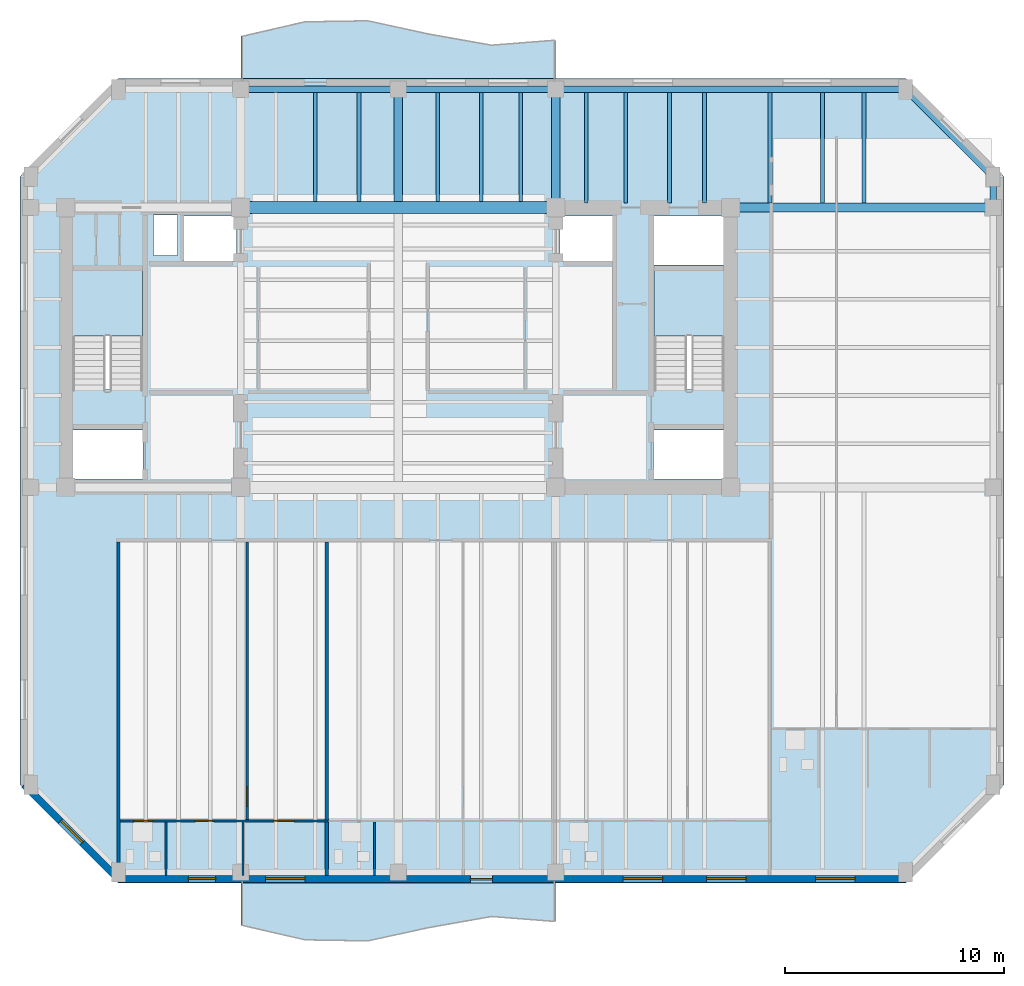
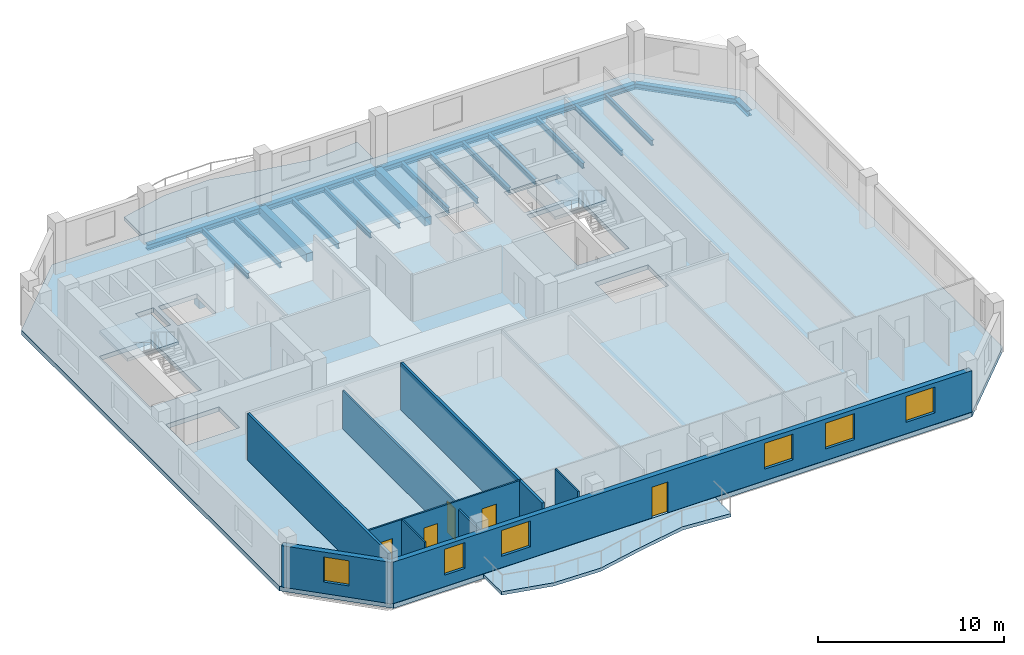
# One storey, part 2 of 9: 21 beams, 9 walls, 6 windows, 5 doors, 5 slabs, 11 openings, 2 elements without a shape of their own.
"""IFC4 building model written with IfcOpenShell, lengths in metres."""

from ifc_helpers import new_model, si_unit, direction, frame, frame_2d, origin, origin_2d, place, context, subcontext, project, spatial, polyline, rectangle, i_section, outline, extrude, material, layer, layer_set, material_profile, profile_set, type_object, element, fill, aggregate, save


model = new_model("IFC4")

# Units and contexts
model_context = context("Model", 3, precision=1e-05, world=origin(), true_north=direction((0.0, 1.0)))
body_context = subcontext(model_context, "Body", "Model", "MODEL_VIEW")
ifc_project = project(units=[si_unit("LENGTHUNIT", "METRE"), si_unit("AREAUNIT", "SQUARE_METRE"), si_unit("VOLUMEUNIT", "CUBIC_METRE"), si_unit("PLANEANGLEUNIT", "RADIAN"), si_unit("MASSUNIT", "GRAM", prefix="KILO")], contexts=[model_context])

# Site, building, storey
site_placement = place(None, origin())
site = spatial("IfcSite", under=ifc_project, at=site_placement, CompositionType="ELEMENT")
building_placement = place(site_placement, origin())
building = spatial("IfcBuilding", under=site, at=building_placement, Name="Kranthara Brick Stack", CompositionType="ELEMENT")
storey_placement = place(building_placement, frame((0.0, 0.0, 231.300048828125)))
storey = spatial("IfcBuildingStorey", under=building, at=storey_placement, Name="L60", CompositionType="ELEMENT", Elevation=231.300048828125)

# Beams
ifc_material_1 = material(Name="Concrete C50/60", Category="concrete")
ifc_material_profile_1 = material_profile(ifc_material_1, rectangle(XDim=0.550048828125, YDim=0.85009765625, at=origin_2d()), Name="RC 550x850")
ifc_profile_set_1 = profile_set([ifc_material_profile_1], Name="Concrete C50/60")
beam_type_1 = type_object("IfcBeamType", Name="BM-CPL-RC850", PredefinedType="LINTEL", material=ifc_profile_set_1)
beam_1_placement = place(storey_placement, frame((20.800048828125, 33.60009765625, -0.72509765625), z_axis=(1.0, 0.0, 0.0), x_axis=(0.0, 1.0, 0.0)))
element("IfcBeam", 1, at=beam_1_placement, inside=storey, type_object=beam_type_1, Name="L60 Core Coupling Beam 002", PredefinedType="LINTEL", context=body_context, shape_type="SweptSolid", body=[
    extrude(rectangle(XDim=0.550048828125, YDim=0.85009765625, at=origin_2d()), origin(), (0.0, 0.0, 1.0), 14.39990234375),
])
ifc_material_2 = material(Name="Post-tensioned concrete C45/55", Category="concrete")
ifc_material_profile_2 = material_profile(ifc_material_2, rectangle(XDim=0.39990234375, YDim=0.550048828125, at=origin_2d()), Name="PT 400x550")
ifc_profile_set_2 = profile_set([ifc_material_profile_2], Name="Post-tensioned concrete C45/55")
beam_type_2 = type_object("IfcBeamType", Name="BM-FLR-PT550", PredefinedType="BEAM", material=ifc_profile_set_2)
beam_2_placement = place(storey_placement, frame((28.0, 33.875, -0.574951171875), z_axis=(0.0, 1.0, 0.0), x_axis=(-1.0, 0.0, 0.0)))
element("IfcBeam", 2, at=beam_2_placement, inside=storey, type_object=beam_type_2, Name="L60 Primary Grid Girder 027", PredefinedType="BEAM", context=body_context, shape_type="SweptSolid", body=[
    extrude(rectangle(XDim=0.39990234375, YDim=0.550048828125, at=origin_2d()), origin(), (0.0, 0.0, 1.0), 5.125),
])
beam_3_placement = place(storey_placement, frame((35.199951171875, 33.60009765625, -0.574951171875), z_axis=(0.0, 1.0, 0.0), x_axis=(-1.0, 0.0, 0.0)))
element("IfcBeam", 3, at=beam_3_placement, inside=storey, type_object=beam_type_2, Name="L60 Primary Grid Girder 029", PredefinedType="BEAM", context=body_context, shape_type="SweptSolid", body=[
    extrude(rectangle(XDim=0.39990234375, YDim=0.550048828125, at=origin_2d()), origin(), (0.0, 0.0, 1.0), 5.39990234375),
])
beam_4_placement = place(storey_placement, frame((43.199951171875, 33.60009765625, -0.574951171875), z_axis=(1.0, 0.0, 0.0), x_axis=(0.0, 1.0, 0.0)))
element("IfcBeam", 4, at=beam_4_placement, inside=storey, type_object=beam_type_2, Name="L60 Primary Grid Girder 033", PredefinedType="BEAM", context=body_context, shape_type="SweptSolid", body=[
    extrude(rectangle(XDim=0.39990234375, YDim=0.550048828125, at=origin_2d()), origin(), (0.0, 0.0, 1.0), 12.0),
])
ifc_material_3 = material(Name="Steel S355", Category="steel")
ifc_material_profile_3 = material_profile(ifc_material_3, i_section(OverallWidth=0.169921875, OverallDepth=0.360107421875, WebThickness=0.008056640625, FlangeThickness=0.0126953125, at=origin_2d()), Name="IPE 360")
ifc_profile_set_3 = profile_set([ifc_material_profile_3], Name="Steel S355")
beam_type_3 = type_object("IfcBeamType", Name="BM-JST-IPE360", PredefinedType="JOIST", material=ifc_profile_set_3)
for number, where, z_axis, x_axis, name in (
    (5, (24.199951171875, 33.875, -0.47998046875), (0.0, 1.0, 0.0), (-1.0, 0.0, 0.0), "L60 North Wing Floor Joist 061"),
    (6, (26.199951171875, 33.875, -0.47998046875), (0.0, 1.0, 0.0), (-1.0, 0.0, 0.0), "L60 North Wing Floor Joist 063"),
    (7, (29.800048828125, 33.875, -0.47998046875), (0.0, 1.0, 0.0), (-1.0, 0.0, 0.0), "L60 North Wing Floor Joist 065"),
    (8, (31.800048828125, 33.875, -0.47998046875), (0.0, 1.0, 0.0), (-1.0, 0.0, 0.0), "L60 North Wing Floor Joist 067"),
    (9, (33.60009765625, 33.875, -0.47998046875), (0.0, 1.0, 0.0), (-1.0, 0.0, 0.0), "L60 North Wing Floor Joist 069"),
):
    element("IfcBeam", number, at=place(storey_placement, frame(where, z_axis=z_axis, x_axis=x_axis)), inside=storey, type_object=beam_type_3, Name=name, PredefinedType="JOIST", context=body_context, shape_type="SweptSolid", body=[
        extrude(i_section(OverallWidth=0.169921875, OverallDepth=0.360107421875, WebThickness=0.008056640625, FlangeThickness=0.0126953125, at=origin_2d()), origin(), (0.0, 0.0, 1.0), 4.97509765625),
    ])
for number, where, z_axis, x_axis, name in (
    (10, (36.60009765625, 33.800048828125, -0.47998046875), (0.0, 1.0, 0.0), (-1.0, 0.0, 0.0), "L60 North Wing Floor Joist 071"),
    (11, (38.39990234375, 33.800048828125, -0.47998046875), (0.0, 1.0, 0.0), (-1.0, 0.0, 0.0), "L60 North Wing Floor Joist 073"),
    (12, (40.39990234375, 33.800048828125, -0.47998046875), (0.0, 1.0, 0.0), (-1.0, 0.0, 0.0), "L60 North Wing Floor Joist 075"),
    (13, (42.0, 33.800048828125, -0.47998046875), (0.0, 1.0, 0.0), (-1.0, 0.0, 0.0), "L60 North Wing Floor Joist 077"),
    (14, (45.0, 33.800048828125, -0.47998046875), (0.0, 1.0, 0.0), (-1.0, 0.0, 0.0), "L60 North Wing Floor Joist 079"),
    (15, (47.39990234375, 33.800048828125, -0.47998046875), (0.0, 1.0, 0.0), (-1.0, 0.0, 0.0), "L60 North Wing Floor Joist 081"),
    (16, (49.300048828125, 33.800048828125, -0.47998046875), (0.0, 1.0, 0.0), (-1.0, 0.0, 0.0), "L60 North Wing Floor Joist 083"),
):
    element("IfcBeam", number, at=place(storey_placement, frame(where, z_axis=z_axis, x_axis=x_axis)), inside=storey, type_object=beam_type_3, Name=name, PredefinedType="JOIST", context=body_context, shape_type="SweptSolid", body=[
        extrude(i_section(OverallWidth=0.169921875, OverallDepth=0.360107421875, WebThickness=0.008056640625, FlangeThickness=0.0126953125, at=origin_2d()), origin(), (0.0, 0.0, 1.0), 5.050048828125),
    ])
ifc_material_4 = material(Name="Steel S355", Category="steel")
ifc_material_profile_4 = material_profile(ifc_material_4, i_section(OverallWidth=0.300048828125, OverallDepth=0.360107421875, WebThickness=0.012451171875, FlangeThickness=0.0224609375, at=origin_2d()), Name="HEB 360")
ifc_profile_set_4 = profile_set([ifc_material_profile_4], Name="Steel S355")
beam_type_4 = type_object("IfcBeamType", Name="BM-STL-HEB360", PredefinedType="SPANDREL", material=ifc_profile_set_4)
for number, where, z_axis, x_axis, name in (
    (17, (20.800048828125, 39.0, -0.47998046875), (1.0, 0.0, 0.0), (0.0, 1.0, 0.0), "L60 Perimeter Spandrel Beam 010"),
    (18, (28.0, 39.0, -0.47998046875), (1.0, 0.0, 0.0), (0.0, 1.0, 0.0), "L60 Perimeter Spandrel Beam 011"),
):
    element("IfcBeam", number, at=place(storey_placement, frame(where, z_axis=z_axis, x_axis=x_axis)), inside=storey, type_object=beam_type_4, Name=name, PredefinedType="SPANDREL", context=body_context, shape_type="SweptSolid", body=[
        extrude(i_section(OverallWidth=0.300048828125, OverallDepth=0.360107421875, WebThickness=0.012451171875, FlangeThickness=0.0224609375, at=origin_2d()), origin(), (0.0, 0.0, 1.0), 7.199951171875),
    ])
beam_5_placement = place(storey_placement, frame((35.199951171875, 39.0, -0.47998046875), z_axis=(1.0, 0.0, 0.0), x_axis=(0.0, 1.0, 0.0)))
element("IfcBeam", 19, at=beam_5_placement, inside=storey, type_object=beam_type_4, Name="L60 Perimeter Spandrel Beam 012", PredefinedType="SPANDREL", context=body_context, shape_type="SweptSolid", body=[
    extrude(i_section(OverallWidth=0.300048828125, OverallDepth=0.360107421875, WebThickness=0.012451171875, FlangeThickness=0.0224609375, at=origin_2d()), origin(), (0.0, 0.0, 1.0), 16.0),
])
beam_6_placement = place(storey_placement, frame((55.199951171875, 33.60009765625, -0.47998046875), z_axis=(0.0, 1.0, 0.0), x_axis=(-1.0, 0.0, 0.0)))
element("IfcBeam", 20, at=beam_6_placement, inside=storey, type_object=beam_type_4, Name="L60 Perimeter Spandrel Beam 018", PredefinedType="SPANDREL", context=body_context, shape_type="SweptSolid", body=[
    extrude(i_section(OverallWidth=0.300048828125, OverallDepth=0.360107421875, WebThickness=0.012451171875, FlangeThickness=0.0224609375, at=origin_2d()), origin(), (0.0, 0.0, 1.0), 1.39990234375),
])
beam_7_placement = place(storey_placement, frame((51.199951171875, 39.0, -0.47998046875), z_axis=(0.707106781187, -0.707106781187, 0.0), x_axis=(0.707106781187, 0.707106781187, 0.0)))
element("IfcBeam", 21, at=beam_7_placement, inside=storey, type_object=beam_type_4, Name="L60 Chamfer Corner Spandrel 022", PredefinedType="SPANDREL", context=body_context, shape_type="SweptSolid", body=[
    extrude(i_section(OverallWidth=0.300048828125, OverallDepth=0.360107421875, WebThickness=0.012451171875, FlangeThickness=0.0224609375, at=origin_2d()), origin(), (0.0, 0.0, 1.0), 5.65673828125),
])

# Slabs
ifc_material_5 = material(Name="Concrete C45/55", Category="concrete")
ifc_layer_1 = layer(ifc_material_5, 0.219970703125)
ifc_layer_set_1 = layer_set([ifc_layer_1], Name="Concrete C45/55")
slab_type_1 = type_object("IfcSlabType", Name="SLB-BALC-220", PredefinedType="FLOOR", material=ifc_layer_set_1)
slab_1_placement = place(storey_placement, frame((0.0, 0.0, -0.219970703125)))
element("IfcSlab", 22, at=slab_1_placement, inside=storey, type_object=slab_type_1, Name="L60 South Rippling Balcony Slab", PredefinedType="FLOOR", context=body_context, shape_type="SweptSolid", body=[
    extrude(outline(polyline([(20.800048828125, 2.699951171875), (35.199951171875, 2.699951171875), (35.199951171875, 0.95068359375), (32.320068359375, 1.17822265625), (29.43994140625, 0.647216796875), (26.56005859375, 0.025390625), (23.679931640625, 0.0947265625), (20.800048828125, 0.76806640625), (20.800048828125, 2.699951171875)])), origin(), (0.0, 0.0, 1.0), 0.219970703125),
])
slab_2_placement = place(storey_placement, frame((0.0, 0.0, -0.219970703125)))
element("IfcSlab", 23, at=slab_2_placement, inside=storey, type_object=slab_type_1, Name="L60 North Rippling Balcony Slab", PredefinedType="FLOOR", context=body_context, shape_type="SweptSolid", body=[
    extrude(outline(polyline([(35.199951171875, 39.5), (20.800048828125, 39.5), (20.800048828125, 41.431884765625), (23.679931640625, 42.105224609375), (26.56005859375, 42.174560546875), (29.43994140625, 41.552734375), (32.320068359375, 41.021728515625), (35.199951171875, 41.249267578125), (35.199951171875, 39.5)])), origin(), (0.0, 0.0, 1.0), 0.219970703125),
])

# Stair, slab
ifc_material_6 = material(Name="Concrete C45/55", Category="concrete")
stair_type = type_object("IfcStairType", Name="ST-CORE-20R", PredefinedType="HALF_TURN_STAIR", material=ifc_material_6)
stair_1_placement = place(storey_placement, origin())
stair_1 = element("IfcStair", 24, at=stair_1_placement, inside=storey, type_object=stair_type, Name="L60 West Core Protected Exit Stair ST01", PredefinedType="HALF_TURN_STAIR")
ifc_material_7 = material(Name="Concrete C45/55", Category="concrete")
ifc_layer_2 = layer(ifc_material_7, 0.199951171875)
ifc_layer_set_2 = layer_set([ifc_layer_2], Name="Concrete C45/55")
slab_type_2 = type_object("IfcSlabType", Name="SLB-LANDING-200", PredefinedType="LANDING", material=ifc_layer_set_2)
slab_3_placement = place(storey_placement, frame((0.0, 0.0, 1.5)))
slab_3 = element("IfcSlab", 25, at=slab_3_placement, type_object=slab_type_2, Name="ST01 landing 1", PredefinedType="LANDING", context=body_context, shape_type="SweptSolid", body=[
    extrude(outline(polyline([(16.300048828125, 27.719970703125), (16.300048828125, 30.75), (13.10009765625, 30.75), (13.10009765625, 27.719970703125), (16.300048828125, 27.719970703125)])), origin(), (0.0, 0.0, 1.0), 0.199951171875),
])
aggregate(stair_1, [slab_3])

stair_2_placement = place(storey_placement, origin())
stair_2 = element("IfcStair", 26, at=stair_2_placement, inside=storey, type_object=stair_type, Name="L60 East Core Protected Exit Stair ST02", PredefinedType="HALF_TURN_STAIR")
slab_4_placement = place(storey_placement, frame((0.0, 0.0, 1.5)))
slab_4 = element("IfcSlab", 27, at=slab_4_placement, type_object=slab_type_2, Name="ST02 landing 1", PredefinedType="LANDING", context=body_context, shape_type="SweptSolid", body=[
    extrude(outline(polyline([(42.89990234375, 27.719970703125), (42.89990234375, 30.75), (39.699951171875, 30.75), (39.699951171875, 27.719970703125), (42.89990234375, 27.719970703125)])), origin(), (0.0, 0.0, 1.0), 0.199951171875),
])
aggregate(stair_2, [slab_4])

# Slab
ifc_material_8 = material(Name="Post-tensioned concrete C45/55", Category="concrete")
ifc_layer_3 = layer(ifc_material_8, 0.300048828125)
ifc_layer_set_3 = layer_set([ifc_layer_3], Name="Post-tensioned concrete C45/55")
slab_type_3 = type_object("IfcSlabType", Name="SLB-TWR-300", PredefinedType="FLOOR", material=ifc_layer_set_3)
slab_5_placement = place(storey_placement, frame((0.0, 0.0, -0.300048828125)))
element("IfcSlab", 28, at=slab_5_placement, inside=storey, type_object=slab_type_3, Name="L60 Structural Floor Plate", PredefinedType="FLOOR", context=body_context, shape_type="SweptSolid", body=[
    extrude(outline(polyline([(15.199951171875, 2.699951171875), (51.199951171875, 2.699951171875), (55.699951171875, 7.199951171875), (55.699951171875, 35.0), (51.199951171875, 39.5), (15.199951171875, 39.5), (10.699951171875, 35.0), (10.699951171875, 7.199951171875), (15.199951171875, 2.699951171875)]), holes=[polyline([(13.10009765625, 25.280029296875), (16.300048828125, 25.280029296875), (16.300048828125, 30.75), (13.10009765625, 30.75), (13.10009765625, 25.280029296875)]), polyline([(39.699951171875, 25.280029296875), (42.89990234375, 25.280029296875), (42.89990234375, 30.75), (39.699951171875, 30.75), (39.699951171875, 25.280029296875)]), polyline([(13.0, 21.179931640625), (16.320068359375, 21.179931640625), (16.320068359375, 23.419921875), (13.0, 23.419921875), (13.0, 21.179931640625)]), polyline([(39.679931640625, 21.179931640625), (43.0, 21.179931640625), (43.0, 23.419921875), (39.679931640625, 23.419921875), (39.679931640625, 21.179931640625)]), polyline([(39.679931640625, 30.97998046875), (43.0, 30.97998046875), (43.0, 33.219970703125), (39.679931640625, 33.219970703125), (39.679931640625, 30.97998046875)]), polyline([(18.199951171875, 31.14990234375), (20.60009765625, 31.14990234375), (20.60009765625, 33.219970703125), (18.199951171875, 33.219970703125), (18.199951171875, 31.14990234375)]), polyline([(35.39990234375, 31.14990234375), (37.800048828125, 31.14990234375), (37.800048828125, 33.219970703125), (35.39990234375, 33.219970703125), (35.39990234375, 31.14990234375)]), polyline([(16.800048828125, 31.39990234375), (17.89990234375, 31.39990234375), (17.89990234375, 33.25), (16.800048828125, 33.25), (16.800048828125, 31.39990234375)])]), origin(), (0.0, 0.0, 1.0), 0.300048828125),
])

# Wall, openings, door, windows
ifc_material_9 = material(Name="Warm buff clay brick masonry M15", Category="masonry")
ifc_layer_4 = layer(ifc_material_9, 0.320068359375)
ifc_layer_set_4 = layer_set([ifc_layer_4], Name="Warm buff clay brick masonry M15")
wall_type_1 = type_object("IfcWallType", Name="WL-BRK-UPPR-320", PredefinedType="STANDARD", material=ifc_layer_set_4)
wall_1_placement = place(storey_placement, frame((51.199951171875, 2.8798828125, 0.0), z_axis=(0.0, 0.0, 1.0), x_axis=(-1.0, 0.0, 0.0)))
wall_1 = element("IfcWall", 29, at=wall_1_placement, inside=storey, type_object=wall_type_1, Name="L60 Exterior Brick Facade Wall SOUTH 1", PredefinedType="STANDARD", context=body_context, shape_type="SweptSolid", body=[
    extrude(rectangle(XDim=36.0, YDim=0.320068359375, at=frame_2d((18.0, 0.0))), origin(), (0.0, 0.0, 1.0), 2.724853515625),
])
opening_1_placement = place(wall_1_placement, frame((18.89990234375, 0.0, 0.0)))
opening_1 = element("IfcOpeningElement", 30, at=opening_1_placement, cuts=wall_1, Name="Opening D03", PredefinedType="OPENING", context=body_context, shape_type="SweptSolid", body=[
    extrude(rectangle(XDim=1.0, YDim=2.02001953125, at=frame_2d((0.5, 1.010009765625))), frame((0.0, 0.169921875, 0.0), z_axis=(0.0, -1.0, 0.0), x_axis=(1.0, 0.0, 0.0)), (0.0, 0.0, 1.0), 0.340087890625),
])
opening_2_placement = place(wall_1_placement, frame((2.31005859375, 0.0, 0.75)))
opening_2 = element("IfcOpeningElement", 31, at=opening_2_placement, cuts=wall_1, Name="Opening WN07", PredefinedType="OPENING", context=body_context, shape_type="SweptSolid", body=[
    extrude(rectangle(XDim=1.800048828125, YDim=1.699951171875, at=frame_2d((0.89990234375, 0.85009765625))), frame((0.0, 0.169921875, 0.0), z_axis=(0.0, -1.0, 0.0), x_axis=(1.0, 0.0, 0.0)), (0.0, 0.0, 1.0), 0.340087890625),
])
opening_3_placement = place(wall_1_placement, frame((7.2939453125, 0.0, 0.75)))
opening_3 = element("IfcOpeningElement", 32, at=opening_3_placement, cuts=wall_1, Name="Opening WN07", PredefinedType="OPENING", context=body_context, shape_type="SweptSolid", body=[
    extrude(rectangle(XDim=1.800048828125, YDim=1.699951171875, at=frame_2d((0.89990234375, 0.85009765625))), frame((0.0, 0.169921875, 0.0), z_axis=(0.0, -1.0, 0.0), x_axis=(1.0, 0.0, 0.0)), (0.0, 0.0, 1.0), 0.340087890625),
])
opening_4_placement = place(wall_1_placement, frame((11.116943359375, 0.0, 0.75)))
opening_4 = element("IfcOpeningElement", 33, at=opening_4_placement, cuts=wall_1, Name="Opening WN07", PredefinedType="OPENING", context=body_context, shape_type="SweptSolid", body=[
    extrude(rectangle(XDim=1.800048828125, YDim=1.699951171875, at=frame_2d((0.89990234375, 0.85009765625))), frame((0.0, 0.169921875, 0.0), z_axis=(0.0, -1.0, 0.0), x_axis=(1.0, 0.0, 0.0)), (0.0, 0.0, 1.0), 0.340087890625),
])
opening_5_placement = place(wall_1_placement, frame((27.472900390625, 0.0, 0.75)))
opening_5 = element("IfcOpeningElement", 34, at=opening_5_placement, cuts=wall_1, Name="Opening WN07", PredefinedType="OPENING", context=body_context, shape_type="SweptSolid", body=[
    extrude(rectangle(XDim=1.800048828125, YDim=1.699951171875, at=frame_2d((0.89990234375, 0.85009765625))), frame((0.0, 0.169921875, 0.0), z_axis=(0.0, -1.0, 0.0), x_axis=(1.0, 0.0, 0.0)), (0.0, 0.0, 1.0), 0.340087890625),
])
opening_6_placement = place(wall_1_placement, frame((31.548095703125, 0.0, 0.75)))
opening_6 = element("IfcOpeningElement", 35, at=opening_6_placement, cuts=wall_1, Name="Opening WN09", PredefinedType="OPENING", context=body_context, shape_type="SweptSolid", body=[
    extrude(rectangle(XDim=1.25, YDim=1.699951171875, at=frame_2d((0.625, 0.85009765625))), frame((0.0, 0.169921875, 0.0), z_axis=(0.0, -1.0, 0.0), x_axis=(1.0, 0.0, 0.0)), (0.0, 0.0, 1.0), 0.340087890625),
])
ifc_material_10 = material(Name="Bronze anodised aluminium and laminated glass", Category="aluminium")
door_type_1 = type_object("IfcDoorType", Name="DR-BALC-1000", OperationType="NOTDEFINED", PredefinedType="DOOR", material=ifc_material_10)
door_1_placement = place(opening_1_placement, origin())
door_1 = element("IfcDoor", 36, at=door_1_placement, inside=storey, type_object=door_type_1, Name="L60 South Balcony Terrace Door", OperationType="SINGLE_SWING_LEFT", OverallHeight=2.02001953125, OverallWidth=1.0, PredefinedType="DOOR", context=body_context, shape_type="SweptSolid", body=[
    extrude(rectangle(XDim=1.0, YDim=2.02001953125, at=frame_2d((0.5, 1.010009765625))), frame((0.0, 0.02490234375, 0.0), z_axis=(0.0, -1.0, 0.0), x_axis=(1.0, 0.0, 0.0)), (0.0, 0.0, 1.0), 0.050048828125),
])
fill(opening_1, door_1)
ifc_material_11 = material(Name="Double-glazed low-E solar control glass", Category="glass")
window_type_1 = type_object("IfcWindowType", Name="WN-RES-1250x1850", PartitioningType="SINGLE_PANEL", PredefinedType="WINDOW", material=ifc_material_11)
window_1_placement = place(opening_6_placement, origin())
window_1 = element("IfcWindow", 37, at=window_1_placement, inside=storey, type_object=window_type_1, Name="L60 South Deep-Set Brick Window 05", OverallHeight=1.699951171875, OverallWidth=1.25, PartitioningType="SINGLE_PANEL", PredefinedType="WINDOW", context=body_context, shape_type="SweptSolid", body=[
    extrude(rectangle(XDim=1.25, YDim=1.699951171875, at=frame_2d((0.625, 0.85009765625))), frame((0.0, -0.010009765625, 0.0), z_axis=(0.0, -1.0, 0.0), x_axis=(1.0, 0.0, 0.0)), (0.0, 0.0, 1.0), 0.06005859375),
])
fill(opening_6, window_1)
ifc_material_12 = material(Name="Double-glazed low-E solar control glass", Category="glass")
window_type_2 = type_object("IfcWindowType", Name="WN-RES-1800x1850", PartitioningType="DOUBLE_PANEL_VERTICAL", PredefinedType="WINDOW", material=ifc_material_12)
window_2_placement = place(opening_2_placement, origin())
window_2 = element("IfcWindow", 38, at=window_2_placement, inside=storey, type_object=window_type_2, Name="L60 South Deep-Set Brick Window 01", OverallHeight=1.699951171875, OverallWidth=1.800048828125, PartitioningType="SINGLE_PANEL", PredefinedType="WINDOW", context=body_context, shape_type="SweptSolid", body=[
    extrude(rectangle(XDim=1.800048828125, YDim=1.699951171875, at=frame_2d((0.89990234375, 0.85009765625))), frame((0.0, -0.010009765625, 0.0), z_axis=(0.0, -1.0, 0.0), x_axis=(1.0, 0.0, 0.0)), (0.0, 0.0, 1.0), 0.06005859375),
])
fill(opening_2, window_2)
window_3_placement = place(opening_3_placement, origin())
window_3 = element("IfcWindow", 39, at=window_3_placement, inside=storey, type_object=window_type_2, Name="L60 South Deep-Set Brick Window 02", OverallHeight=1.699951171875, OverallWidth=1.800048828125, PartitioningType="SINGLE_PANEL", PredefinedType="WINDOW", context=body_context, shape_type="SweptSolid", body=[
    extrude(rectangle(XDim=1.800048828125, YDim=1.699951171875, at=frame_2d((0.89990234375, 0.85009765625))), frame((0.0, -0.010009765625, 0.0), z_axis=(0.0, -1.0, 0.0), x_axis=(1.0, 0.0, 0.0)), (0.0, 0.0, 1.0), 0.06005859375),
])
fill(opening_3, window_3)
window_4_placement = place(opening_4_placement, origin())
window_4 = element("IfcWindow", 40, at=window_4_placement, inside=storey, type_object=window_type_2, Name="L60 South Deep-Set Brick Window 03", OverallHeight=1.699951171875, OverallWidth=1.800048828125, PartitioningType="SINGLE_PANEL", PredefinedType="WINDOW", context=body_context, shape_type="SweptSolid", body=[
    extrude(rectangle(XDim=1.800048828125, YDim=1.699951171875, at=frame_2d((0.89990234375, 0.85009765625))), frame((0.0, -0.010009765625, 0.0), z_axis=(0.0, -1.0, 0.0), x_axis=(1.0, 0.0, 0.0)), (0.0, 0.0, 1.0), 0.06005859375),
])
fill(opening_4, window_4)
window_5_placement = place(opening_5_placement, origin())
window_5 = element("IfcWindow", 41, at=window_5_placement, inside=storey, type_object=window_type_2, Name="L60 South Deep-Set Brick Window 04", OverallHeight=1.699951171875, OverallWidth=1.800048828125, PartitioningType="SINGLE_PANEL", PredefinedType="WINDOW", context=body_context, shape_type="SweptSolid", body=[
    extrude(rectangle(XDim=1.800048828125, YDim=1.699951171875, at=frame_2d((0.89990234375, 0.85009765625))), frame((0.0, -0.010009765625, 0.0), z_axis=(0.0, -1.0, 0.0), x_axis=(1.0, 0.0, 0.0)), (0.0, 0.0, 1.0), 0.06005859375),
])
fill(opening_5, window_5)

# Wall, opening, window
wall_2_placement = place(storey_placement, frame((15.199951171875, 2.8798828125, 0.0), z_axis=(0.0, 0.0, 1.0), x_axis=(-0.707106781187, 0.707106781187, 0.0)))
wall_2 = element("IfcWall", 42, at=wall_2_placement, inside=storey, type_object=wall_type_1, Name="L60 Exterior Brick Facade Wall SW 1", PredefinedType="STANDARD", context=body_context, shape_type="SweptSolid", body=[
    extrude(rectangle(XDim=6.109619140625, YDim=0.320068359375, at=frame_2d((3.0546875, 0.0))), origin(), (0.0, 0.0, 1.0), 2.724853515625),
])
opening_7_placement = place(wall_2_placement, frame((2.35498046875, 0.0, 0.75)))
opening_7 = element("IfcOpeningElement", 43, at=opening_7_placement, cuts=wall_2, Name="Opening WN10", PredefinedType="OPENING", context=body_context, shape_type="SweptSolid", body=[
    extrude(rectangle(XDim=1.39990234375, YDim=1.64990234375, at=frame_2d((0.699951171875, 0.824951171875))), frame((0.0, 0.169921875, 0.0), z_axis=(0.0, -1.0, 0.0), x_axis=(1.0, 0.0, 0.0)), (0.0, 0.0, 1.0), 0.340087890625),
])
ifc_material_13 = material(Name="Double-glazed low-E solar control glass", Category="glass")
window_type_3 = type_object("IfcWindowType", Name="WN-CHM-1400x1750", PartitioningType="SINGLE_PANEL", PredefinedType="WINDOW", material=ifc_material_13)
window_6_placement = place(opening_7_placement, origin())
window_6 = element("IfcWindow", 44, at=window_6_placement, inside=storey, type_object=window_type_3, Name="L60 SW Chamfer Corner Window", OverallHeight=1.64990234375, OverallWidth=1.39990234375, PartitioningType="SINGLE_PANEL", PredefinedType="WINDOW", context=body_context, shape_type="SweptSolid", body=[
    extrude(rectangle(XDim=1.39990234375, YDim=1.64990234375, at=frame_2d((0.699951171875, 0.824951171875))), frame((0.0, -0.010009765625, 0.0), z_axis=(0.0, -1.0, 0.0), x_axis=(1.0, 0.0, 0.0)), (0.0, 0.0, 1.0), 0.06005859375),
])
fill(opening_7, window_6)

# Wall, openings, doors
ifc_material_14 = material(Name="Moisture-resistant wet-room partition", Category="other")
ifc_layer_5 = layer(ifc_material_14, 0.10009765625)
ifc_layer_set_5 = layer_set([ifc_layer_5], Name="Moisture-resistant wet-room partition")
wall_type_2 = type_object("IfcWallType", Name="WL-PART-100", PredefinedType="PARTITIONING", material=ifc_layer_set_5)
wall_3_placement = place(storey_placement, frame((15.280029296875, 5.550048828125, 0.0), z_axis=(0.0, 0.0, 1.0), x_axis=(1.0, 0.0, 0.0)))
wall_3 = element("IfcWall", 45, at=wall_3_placement, inside=storey, type_object=wall_type_2, Name="L60 Interior Partition 012", PredefinedType="PARTITIONING", context=body_context, shape_type="SweptSolid", body=[
    extrude(rectangle(XDim=9.489990234375, YDim=0.10009765625, at=frame_2d((4.7451171875, 0.0))), origin(), (0.0, 0.0, 1.0), 3.099853515625),
])
opening_8_placement = place(wall_3_placement, frame((0.625, 0.0, 0.0)))
opening_8 = element("IfcOpeningElement", 46, at=opening_8_placement, cuts=wall_3, Name="Opening D17", PredefinedType="OPENING", context=body_context, shape_type="SweptSolid", body=[
    extrude(rectangle(XDim=0.85009765625, YDim=2.050048828125, at=frame_2d((0.425048828125, 1.02490234375))), frame((0.0, 0.06005859375, 0.0), z_axis=(0.0, -1.0, 0.0), x_axis=(1.0, 0.0, 0.0)), (0.0, 0.0, 1.0), 0.1201171875),
])
opening_9_placement = place(wall_3_placement, frame((3.43603515625, 0.0, 0.0)))
opening_9 = element("IfcOpeningElement", 47, at=opening_9_placement, cuts=wall_3, Name="Opening D16", PredefinedType="OPENING", context=body_context, shape_type="SweptSolid", body=[
    extrude(rectangle(XDim=0.85009765625, YDim=2.050048828125, at=frame_2d((0.425048828125, 1.02490234375))), frame((0.0, 0.06005859375, 0.0), z_axis=(0.0, -1.0, 0.0), x_axis=(1.0, 0.0, 0.0)), (0.0, 0.0, 1.0), 0.1201171875),
])
opening_10_placement = place(wall_3_placement, frame((7.0458984375, 0.0, 0.0)))
opening_10 = element("IfcOpeningElement", 48, at=opening_10_placement, cuts=wall_3, Name="Opening D15", PredefinedType="OPENING", context=body_context, shape_type="SweptSolid", body=[
    extrude(rectangle(XDim=0.89990234375, YDim=2.050048828125, at=frame_2d((0.449951171875, 1.02490234375))), frame((0.0, 0.06005859375, 0.0), z_axis=(0.0, -1.0, 0.0), x_axis=(1.0, 0.0, 0.0)), (0.0, 0.0, 1.0), 0.1201171875),
])
ifc_material_15 = material(Name="Solid-core hardwood timber leaf in steel frame", Category="steel")
door_type_2 = type_object("IfcDoorType", Name="DR-INT-850", OperationType="NOTDEFINED", PredefinedType="DOOR", material=ifc_material_15)
door_2_placement = place(opening_9_placement, origin())
door_2 = element("IfcDoor", 49, at=door_2_placement, inside=storey, type_object=door_type_2, Name="L60 Unit L60A Kitchen 11", OperationType="SINGLE_SWING_LEFT", OverallHeight=2.050048828125, OverallWidth=0.85009765625, PredefinedType="DOOR", context=body_context, shape_type="SweptSolid", body=[
    extrude(rectangle(XDim=0.85009765625, YDim=2.050048828125, at=frame_2d((0.425048828125, 1.02490234375))), frame((0.0, 0.02490234375, 0.0), z_axis=(0.0, -1.0, 0.0), x_axis=(1.0, 0.0, 0.0)), (0.0, 0.0, 1.0), 0.050048828125),
])
fill(opening_9, door_2)
ifc_material_16 = material(Name="Solid-core hardwood timber leaf in steel frame", Category="steel")
door_type_3 = type_object("IfcDoorType", Name="DR-INT-900", OperationType="NOTDEFINED", PredefinedType="DOOR", material=ifc_material_16)
door_3_placement = place(opening_10_placement, origin())
door_3 = element("IfcDoor", 50, at=door_3_placement, inside=storey, type_object=door_type_3, Name="L60 Unit L60A Bedroom 12", OperationType="SINGLE_SWING_RIGHT", OverallHeight=2.050048828125, OverallWidth=0.89990234375, PredefinedType="DOOR", context=body_context, shape_type="SweptSolid", body=[
    extrude(rectangle(XDim=0.89990234375, YDim=2.050048828125, at=frame_2d((0.449951171875, 1.02490234375))), frame((0.0, 0.02490234375, 0.0), z_axis=(0.0, -1.0, 0.0), x_axis=(1.0, 0.0, 0.0)), (0.0, 0.0, 1.0), 0.050048828125),
])
fill(opening_10, door_3)
ifc_material_17 = material(Name="Solid-core hardwood timber leaf in steel frame", Category="steel")
door_type_4 = type_object("IfcDoorType", Name="DR-WET-850", OperationType="NOTDEFINED", PredefinedType="DOOR", material=ifc_material_17)
door_4_placement = place(opening_8_placement, origin())
door_4 = element("IfcDoor", 51, at=door_4_placement, inside=storey, type_object=door_type_4, Name="L60 Unit L60A Bathroom 10", OperationType="SINGLE_SWING_RIGHT", OverallHeight=2.050048828125, OverallWidth=0.85009765625, PredefinedType="DOOR", context=body_context, shape_type="SweptSolid", body=[
    extrude(rectangle(XDim=0.85009765625, YDim=2.050048828125, at=frame_2d((0.425048828125, 1.02490234375))), frame((0.0, 0.02490234375, 0.0), z_axis=(0.0, -1.0, 0.0), x_axis=(1.0, 0.0, 0.0)), (0.0, 0.0, 1.0), 0.050048828125),
])
fill(opening_8, door_4)

# Wall, opening, door
wall_4_placement = place(storey_placement, frame((21.089111328125, 5.60498046875, 0.0), z_axis=(0.0, 0.0, 1.0), x_axis=(0.0, 1.0, 0.0)))
wall_4 = element("IfcWall", 52, at=wall_4_placement, inside=storey, type_object=wall_type_2, Name="L60 Interior Partition 013", PredefinedType="PARTITIONING", context=body_context, shape_type="SweptSolid", body=[
    extrude(rectangle(XDim=12.695068359375, YDim=0.10009765625, at=frame_2d((6.34765625, 0.0))), origin(), (0.0, 0.0, 1.0), 2.534912109375),
])
opening_11_placement = place(wall_4_placement, frame((0.60498046875, 0.0, 0.0)))
opening_11 = element("IfcOpeningElement", 53, at=opening_11_placement, cuts=wall_4, Name="Opening D15", PredefinedType="OPENING", context=body_context, shape_type="SweptSolid", body=[
    extrude(rectangle(XDim=0.89990234375, YDim=2.050048828125, at=frame_2d((0.449951171875, 1.02490234375))), frame((0.0, 0.06005859375, 0.0), z_axis=(0.0, -1.0, 0.0), x_axis=(1.0, 0.0, 0.0)), (0.0, 0.0, 1.0), 0.1201171875),
])
door_5_placement = place(opening_11_placement, origin())
door_5 = element("IfcDoor", 54, at=door_5_placement, inside=storey, type_object=door_type_3, Name="L60 Unit L60A Study 09", OperationType="SINGLE_SWING_LEFT", OverallHeight=2.050048828125, OverallWidth=0.89990234375, PredefinedType="DOOR", context=body_context, shape_type="SweptSolid", body=[
    extrude(rectangle(XDim=0.89990234375, YDim=2.050048828125, at=frame_2d((0.449951171875, 1.02490234375))), frame((0.0, 0.02490234375, 0.0), z_axis=(0.0, -1.0, 0.0), x_axis=(1.0, 0.0, 0.0)), (0.0, 0.0, 1.0), 0.050048828125),
])
fill(opening_11, door_5)

# Walls
wall_5_placement = place(storey_placement, frame((17.3798828125, 3.044921875, 0.0), z_axis=(0.0, 0.0, 1.0), x_axis=(0.0, 1.0, 0.0)))
element("IfcWall", 55, at=wall_5_placement, inside=storey, type_object=wall_type_2, Name="L60 Interior Partition 014", PredefinedType="PARTITIONING", context=body_context, shape_type="SweptSolid", body=[
    extrude(rectangle(XDim=2.4501953125, YDim=0.10009765625, at=frame_2d((1.22509765625, 0.0))), origin(), (0.0, 0.0, 1.0), 3.099853515625),
])
wall_6_placement = place(storey_placement, frame((20.902099609375, 3.044921875, 0.0), z_axis=(0.0, 0.0, 1.0), x_axis=(0.0, 1.0, 0.0)))
element("IfcWall", 56, at=wall_6_placement, inside=storey, type_object=wall_type_2, Name="L60 Interior Partition 015", PredefinedType="PARTITIONING", context=body_context, shape_type="SweptSolid", body=[
    extrude(rectangle(XDim=2.4501953125, YDim=0.10009765625, at=frame_2d((1.22509765625, 0.0))), origin(), (0.0, 0.0, 1.0), 2.534912109375),
])
wall_7_placement = place(storey_placement, frame((26.909912109375, 3.044921875, 0.0), z_axis=(0.0, 0.0, 1.0), x_axis=(0.0, 1.0, 0.0)))
element("IfcWall", 57, at=wall_7_placement, inside=storey, type_object=wall_type_2, Name="L60 Interior Partition 019", PredefinedType="PARTITIONING", context=body_context, shape_type="SweptSolid", body=[
    extrude(rectangle(XDim=2.4501953125, YDim=0.10009765625, at=frame_2d((1.22509765625, 0.0))), origin(), (0.0, 0.0, 1.0), 3.099853515625),
])
ifc_material_18 = material(Name="Fire-rated gypsum board partition", Category="other")
ifc_layer_6 = layer(ifc_material_18, 0.14990234375)
ifc_layer_set_6 = layer_set([ifc_layer_6], Name="Fire-rated gypsum board partition")
wall_type_3 = type_object("IfcWallType", Name="WL-PART-150", PredefinedType="PARTITIONING", material=ifc_layer_set_6)
for number, where, z_axis, x_axis, name in (
    (58, (15.199951171875, 3.044921875, 0.0), (0.0, 0.0, 1.0), (0.0, 1.0, 0.0), "L60 Interior Partition 011"),
    (59, (24.72998046875, 3.044921875, 0.0), (0.0, 0.0, 1.0), (0.0, 1.0, 0.0), "L60 Interior Partition 016"),
):
    element("IfcWall", number, at=place(storey_placement, frame(where, z_axis=z_axis, x_axis=x_axis)), inside=storey, type_object=wall_type_3, Name=name, PredefinedType="PARTITIONING", context=body_context, shape_type="SweptSolid", body=[
        extrude(rectangle(XDim=15.255126953125, YDim=0.14990234375, at=frame_2d((7.62744140625, 0.0))), origin(), (0.0, 0.0, 1.0), 3.099853515625),
    ])

save(model, "model.ifc")
